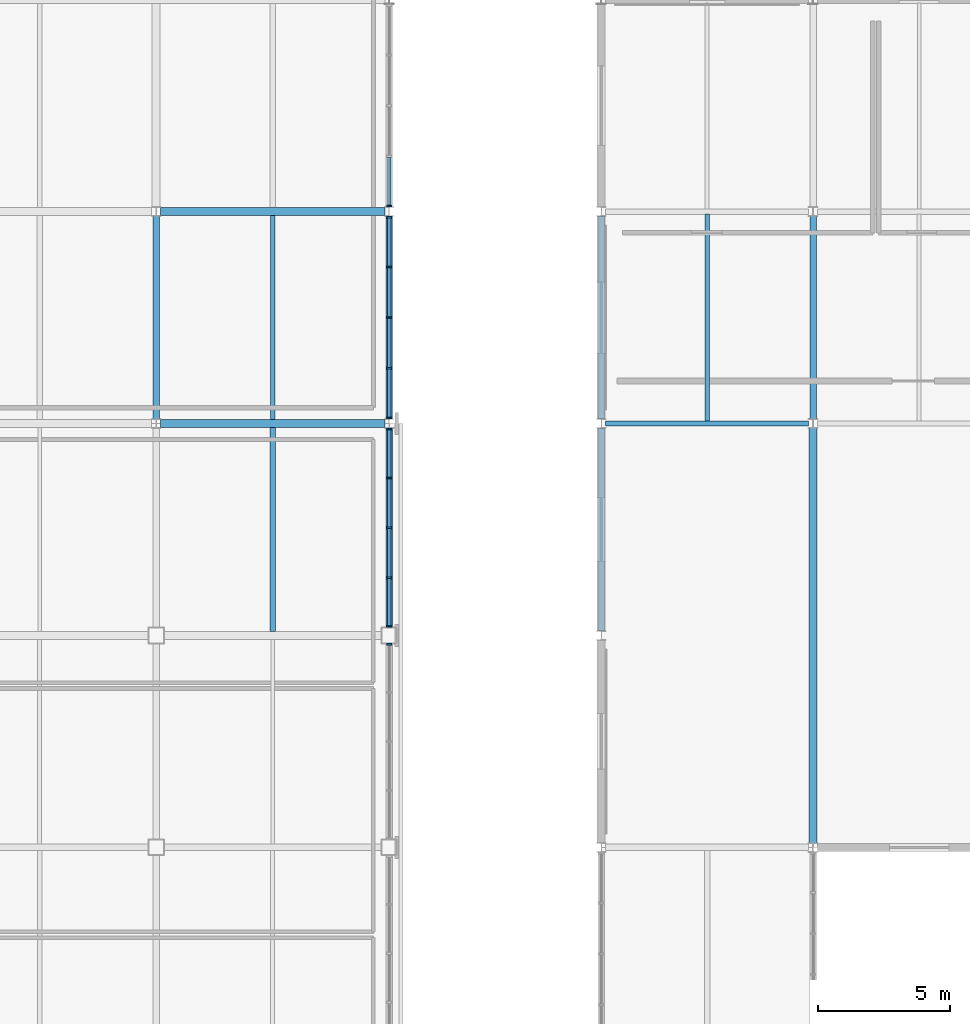
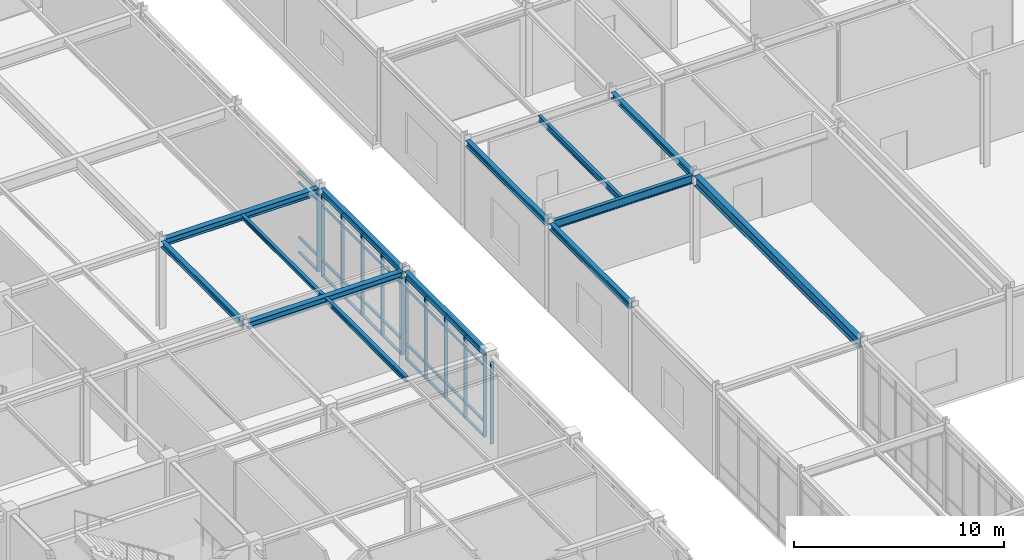
# One storey, part 41 of 108: 48 members, 13 beams, 4 elements without a shape of their own.
"""IFC4 building model written with IfcOpenShell, lengths in metres."""

from ifc_helpers import new_model, si_unit, direction, frame, origin, origin_2d, place, context, subcontext, project, spatial, rectangle, i_section, extrude, material, material_profile, profile_set, type_object, element, aggregate, save


model = new_model("IFC4")

# Units and contexts
model_context = context("Model", 3, precision=1e-05, world=origin(), true_north=direction((0.0, 1.0)))
body_context = subcontext(model_context, "Body", "Model", "MODEL_VIEW")
ifc_project = project(units=[si_unit("LENGTHUNIT", "METRE"), si_unit("AREAUNIT", "SQUARE_METRE"), si_unit("VOLUMEUNIT", "CUBIC_METRE"), si_unit("PLANEANGLEUNIT", "RADIAN"), si_unit("MASSUNIT", "GRAM", prefix="KILO")], contexts=[model_context])

# Site, building, storey
site_placement = place(None, origin())
site = spatial("IfcSite", under=ifc_project, at=site_placement, CompositionType="ELEMENT")
building_placement = place(site_placement, origin())
building = spatial("IfcBuilding", under=site, at=building_placement, Name="Zhaolan Boulevard Law Courts", CompositionType="ELEMENT")
storey_placement = place(building_placement, frame((0.0, 0.0, 10.800048828125)))
storey = spatial("IfcBuildingStorey", under=building, at=storey_placement, Name="L02", CompositionType="ELEMENT", Elevation=10.800048828125)

# Curtain wall, members
ifc_material_1 = material(Name="Thermally broken aluminium and low-E glazing", Category="aluminium")
curtain_wall_type_1 = type_object("IfcCurtainWallType", Name="CURTAIN WALL M23", PredefinedType="USERDEFINED", material=ifc_material_1)
curtain_wall_1_placement = place(storey_placement, origin())
curtain_wall_1 = element("IfcCurtainWall", 1, at=curtain_wall_1_placement, inside=storey, type_object=curtain_wall_type_1, Name="Curtain Wall CW-L02-119", ObjectType="CURTAIN WALL", PredefinedType="USERDEFINED")
ifc_material_2 = material(Name="Fluorocarbon-coated aluminium 6063-T6", Category="aluminium")
ifc_material_profile_1 = material_profile(ifc_material_2, rectangle(XDim=0.179931640625, YDim=0.06494140625, at=origin_2d()), Name="AL65x180")
ifc_profile_set_1 = profile_set([ifc_material_profile_1], Name="Fluorocarbon-coated aluminium 6063-T6")
member_type_1 = type_object("IfcMemberType", Name="CWMULLION 65X180", PredefinedType="MULLION", material=ifc_profile_set_1)
member_1_placement = place(storey_placement, frame((44.0, 78.20947265625, 0.0), z_axis=(0.0, 0.0, 1.0), x_axis=(-1.0, 0.0, 0.0)))
member_1 = element("IfcMember", 2, at=member_1_placement, type_object=member_type_1, Name="CW-L02-119 mullion 1", PredefinedType="MULLION", context=body_context, shape_type="SweptSolid", body=[
    extrude(rectangle(XDim=0.179931640625, YDim=0.06494140625, at=origin_2d()), origin(), (0.0, 0.0, 1.0), 4.762939453125),
])
member_2_placement = place(storey_placement, frame((44.0, 80.08837890625, 0.0), z_axis=(0.0, 0.0, 1.0), x_axis=(-1.0, 0.0, 0.0)))
member_2 = element("IfcMember", 3, at=member_2_placement, type_object=member_type_1, Name="CW-L02-119 mullion 2", PredefinedType="MULLION", context=body_context, shape_type="SweptSolid", body=[
    extrude(rectangle(XDim=0.179931640625, YDim=0.06494140625, at=origin_2d()), origin(), (0.0, 0.0, 1.0), 4.762939453125),
])
member_3_placement = place(storey_placement, frame((44.0, 82.0, 0.0), z_axis=(0.0, 0.0, 1.0), x_axis=(-1.0, 0.0, 0.0)))
member_3 = element("IfcMember", 4, at=member_3_placement, type_object=member_type_1, Name="CW-L02-119 mullion 3", PredefinedType="MULLION", context=body_context, shape_type="SweptSolid", body=[
    extrude(rectangle(XDim=0.179931640625, YDim=0.06494140625, at=origin_2d()), origin(), (0.0, 0.0, 1.0), 4.762939453125),
])
member_4_placement = place(storey_placement, frame((44.0, 83.91162109375, 0.0), z_axis=(0.0, 0.0, 1.0), x_axis=(-1.0, 0.0, 0.0)))
member_4 = element("IfcMember", 5, at=member_4_placement, type_object=member_type_1, Name="CW-L02-119 mullion 4", PredefinedType="MULLION", context=body_context, shape_type="SweptSolid", body=[
    extrude(rectangle(XDim=0.179931640625, YDim=0.06494140625, at=origin_2d()), origin(), (0.0, 0.0, 1.0), 4.762939453125),
])
member_5_placement = place(storey_placement, frame((44.0, 85.79052734375, 0.0), z_axis=(0.0, 0.0, 1.0), x_axis=(-1.0, 0.0, 0.0)))
member_5 = element("IfcMember", 6, at=member_5_placement, type_object=member_type_1, Name="CW-L02-119 mullion 5", PredefinedType="MULLION", context=body_context, shape_type="SweptSolid", body=[
    extrude(rectangle(XDim=0.179931640625, YDim=0.06494140625, at=origin_2d()), origin(), (0.0, 0.0, 1.0), 4.762939453125),
])

# Curtain wall, member
ifc_material_3 = material(Name="Thermally broken aluminium and low-E glazing", Category="aluminium")
curtain_wall_type_2 = type_object("IfcCurtainWallType", Name="CURTAIN WALL M24", PredefinedType="USERDEFINED", material=ifc_material_3)
curtain_wall_2_placement = place(storey_placement, origin())
curtain_wall_2 = element("IfcCurtainWall", 7, at=curtain_wall_2_placement, inside=storey, type_object=curtain_wall_type_2, Name="Curtain Wall CW-L02-120", ObjectType="CURTAIN WALL", PredefinedType="USERDEFINED")
member_6_placement = place(storey_placement, frame((44.0, 86.20947265625, 0.0), z_axis=(0.0, 0.0, 1.0), x_axis=(-1.0, 0.0, 0.0)))
member_6 = element("IfcMember", 8, at=member_6_placement, type_object=member_type_1, Name="CW-L02-120 mullion 1", PredefinedType="MULLION", context=body_context, shape_type="SweptSolid", body=[
    extrude(rectangle(XDim=0.179931640625, YDim=0.06494140625, at=origin_2d()), origin(), (0.0, 0.0, 1.0), 4.762939453125),
])

ifc_material_4 = material(Name="Thermally broken aluminium and low-E glazing", Category="aluminium")
curtain_wall_type_3 = type_object("IfcCurtainWallType", Name="CURTAIN WALL M22", PredefinedType="USERDEFINED", material=ifc_material_4)
curtain_wall_3_placement = place(storey_placement, origin())
curtain_wall_3 = element("IfcCurtainWall", 9, at=curtain_wall_3_placement, inside=storey, type_object=curtain_wall_type_3, Name="Curtain Wall CW-L02-166", ObjectType="CURTAIN WALL", PredefinedType="USERDEFINED")
member_7_placement = place(storey_placement, frame((44.0, 69.66552734375, 0.0), z_axis=(0.0, 0.0, 1.0), x_axis=(-1.0, 0.0, 0.0)))
member_7 = element("IfcMember", 10, at=member_7_placement, type_object=member_type_1, Name="CW-L02-166 mullion 5", PredefinedType="MULLION", context=body_context, shape_type="SweptSolid", body=[
    extrude(rectangle(XDim=0.179931640625, YDim=0.06494140625, at=origin_2d()), origin(), (0.0, 0.0, 1.0), 4.782958984375),
])
aggregate(curtain_wall_3, [member_7])

# Curtain wall, members
curtain_wall_4_placement = place(storey_placement, origin())
curtain_wall_4 = element("IfcCurtainWall", 11, at=curtain_wall_4_placement, inside=storey, type_object=curtain_wall_type_1, Name="Curtain Wall CW-L02-167", ObjectType="CURTAIN WALL", PredefinedType="USERDEFINED")
member_8_placement = place(storey_placement, frame((44.0, 70.33447265625, 0.0), z_axis=(0.0, 0.0, 1.0), x_axis=(-1.0, 0.0, 0.0)))
member_8 = element("IfcMember", 12, at=member_8_placement, type_object=member_type_1, Name="CW-L02-167 mullion 1", PredefinedType="MULLION", context=body_context, shape_type="SweptSolid", body=[
    extrude(rectangle(XDim=0.179931640625, YDim=0.06494140625, at=origin_2d()), origin(), (0.0, 0.0, 1.0), 4.782958984375),
])
member_9_placement = place(storey_placement, frame((44.0, 72.18212890625, 0.0), z_axis=(0.0, 0.0, 1.0), x_axis=(-1.0, 0.0, 0.0)))
member_9 = element("IfcMember", 13, at=member_9_placement, type_object=member_type_1, Name="CW-L02-167 mullion 2", PredefinedType="MULLION", context=body_context, shape_type="SweptSolid", body=[
    extrude(rectangle(XDim=0.179931640625, YDim=0.06494140625, at=origin_2d()), origin(), (0.0, 0.0, 1.0), 4.782958984375),
])
member_10_placement = place(storey_placement, frame((44.0, 74.0625, 0.0), z_axis=(0.0, 0.0, 1.0), x_axis=(-1.0, 0.0, 0.0)))
member_10 = element("IfcMember", 14, at=member_10_placement, type_object=member_type_1, Name="CW-L02-167 mullion 3", PredefinedType="MULLION", context=body_context, shape_type="SweptSolid", body=[
    extrude(rectangle(XDim=0.179931640625, YDim=0.06494140625, at=origin_2d()), origin(), (0.0, 0.0, 1.0), 4.782958984375),
])
member_11_placement = place(storey_placement, frame((44.0, 75.94287109375, 0.0), z_axis=(0.0, 0.0, 1.0), x_axis=(-1.0, 0.0, 0.0)))
member_11 = element("IfcMember", 15, at=member_11_placement, type_object=member_type_1, Name="CW-L02-167 mullion 4", PredefinedType="MULLION", context=body_context, shape_type="SweptSolid", body=[
    extrude(rectangle(XDim=0.179931640625, YDim=0.06494140625, at=origin_2d()), origin(), (0.0, 0.0, 1.0), 4.782958984375),
])
member_12_placement = place(storey_placement, frame((44.0, 77.79052734375, 0.0), z_axis=(0.0, 0.0, 1.0), x_axis=(-1.0, 0.0, 0.0)))
member_12 = element("IfcMember", 16, at=member_12_placement, type_object=member_type_1, Name="CW-L02-167 mullion 5", PredefinedType="MULLION", context=body_context, shape_type="SweptSolid", body=[
    extrude(rectangle(XDim=0.179931640625, YDim=0.06494140625, at=origin_2d()), origin(), (0.0, 0.0, 1.0), 4.782958984375),
])

# Member
ifc_material_5 = material(Name="Fluorocarbon-coated aluminium 6063-T6", Category="aluminium")
ifc_material_profile_2 = material_profile(ifc_material_5, rectangle(XDim=0.139892578125, YDim=0.06494140625, at=origin_2d()), Name="AL65x140")
ifc_profile_set_2 = profile_set([ifc_material_profile_2], Name="Fluorocarbon-coated aluminium 6063-T6")
member_type_2 = type_object("IfcMemberType", Name="CWTRANSOM 65X140", PredefinedType="USERDEFINED", material=ifc_profile_set_2)
member_13_placement = place(storey_placement, frame((44.0, 78.241943359375, 0.032470703125), z_axis=(0.0, 1.0, 0.0), x_axis=(-1.0, 0.0, 0.0)))
member_13 = element("IfcMember", 17, at=member_13_placement, type_object=member_type_2, Name="CW-L02-119 transom 1.1", ObjectType="TRANSOM", PredefinedType="USERDEFINED", context=body_context, shape_type="SweptSolid", body=[
    extrude(rectangle(XDim=0.139892578125, YDim=0.06494140625, at=origin_2d()), origin(), (0.0, 0.0, 1.0), 1.81396484375),
])

member_14_placement = place(storey_placement, frame((44.0, 78.241943359375, 0.89990234375), z_axis=(0.0, 1.0, 0.0), x_axis=(-1.0, 0.0, 0.0)))
member_14 = element("IfcMember", 18, at=member_14_placement, type_object=member_type_2, Name="CW-L02-119 transom 1.2", ObjectType="TRANSOM", PredefinedType="USERDEFINED", context=body_context, shape_type="SweptSolid", body=[
    extrude(rectangle(XDim=0.139892578125, YDim=0.06494140625, at=origin_2d()), origin(), (0.0, 0.0, 1.0), 1.81396484375),
])

member_15_placement = place(storey_placement, frame((44.0, 78.241943359375, 4.113037109375), z_axis=(0.0, 1.0, 0.0), x_axis=(-1.0, 0.0, 0.0)))
member_15 = element("IfcMember", 19, at=member_15_placement, type_object=member_type_2, Name="CW-L02-119 transom 1.3", ObjectType="TRANSOM", PredefinedType="USERDEFINED", context=body_context, shape_type="SweptSolid", body=[
    extrude(rectangle(XDim=0.139892578125, YDim=0.06494140625, at=origin_2d()), origin(), (0.0, 0.0, 1.0), 1.81396484375),
])

member_16_placement = place(storey_placement, frame((44.0, 78.241943359375, 4.73046875), z_axis=(0.0, 1.0, 0.0), x_axis=(-1.0, 0.0, 0.0)))
member_16 = element("IfcMember", 20, at=member_16_placement, type_object=member_type_2, Name="CW-L02-119 transom 1.4", ObjectType="TRANSOM", PredefinedType="USERDEFINED", context=body_context, shape_type="SweptSolid", body=[
    extrude(rectangle(XDim=0.139892578125, YDim=0.06494140625, at=origin_2d()), origin(), (0.0, 0.0, 1.0), 1.81396484375),
])

member_17_placement = place(storey_placement, frame((44.0, 80.12109375, 0.032470703125), z_axis=(0.0, 1.0, 0.0), x_axis=(-1.0, 0.0, 0.0)))
member_17 = element("IfcMember", 21, at=member_17_placement, type_object=member_type_2, Name="CW-L02-119 transom 2.1", ObjectType="TRANSOM", PredefinedType="USERDEFINED", context=body_context, shape_type="SweptSolid", body=[
    extrude(rectangle(XDim=0.139892578125, YDim=0.06494140625, at=origin_2d()), origin(), (0.0, 0.0, 1.0), 1.846435546875),
])

member_18_placement = place(storey_placement, frame((44.0, 80.12109375, 0.89990234375), z_axis=(0.0, 1.0, 0.0), x_axis=(-1.0, 0.0, 0.0)))
member_18 = element("IfcMember", 22, at=member_18_placement, type_object=member_type_2, Name="CW-L02-119 transom 2.2", ObjectType="TRANSOM", PredefinedType="USERDEFINED", context=body_context, shape_type="SweptSolid", body=[
    extrude(rectangle(XDim=0.139892578125, YDim=0.06494140625, at=origin_2d()), origin(), (0.0, 0.0, 1.0), 1.846435546875),
])

member_19_placement = place(storey_placement, frame((44.0, 80.12109375, 4.113037109375), z_axis=(0.0, 1.0, 0.0), x_axis=(-1.0, 0.0, 0.0)))
member_19 = element("IfcMember", 23, at=member_19_placement, type_object=member_type_2, Name="CW-L02-119 transom 2.3", ObjectType="TRANSOM", PredefinedType="USERDEFINED", context=body_context, shape_type="SweptSolid", body=[
    extrude(rectangle(XDim=0.139892578125, YDim=0.06494140625, at=origin_2d()), origin(), (0.0, 0.0, 1.0), 1.846435546875),
])

member_20_placement = place(storey_placement, frame((44.0, 80.12109375, 4.73046875), z_axis=(0.0, 1.0, 0.0), x_axis=(-1.0, 0.0, 0.0)))
member_20 = element("IfcMember", 24, at=member_20_placement, type_object=member_type_2, Name="CW-L02-119 transom 2.4", ObjectType="TRANSOM", PredefinedType="USERDEFINED", context=body_context, shape_type="SweptSolid", body=[
    extrude(rectangle(XDim=0.139892578125, YDim=0.06494140625, at=origin_2d()), origin(), (0.0, 0.0, 1.0), 1.846435546875),
])

member_21_placement = place(storey_placement, frame((44.0, 82.032470703125, 0.032470703125), z_axis=(0.0, 1.0, 0.0), x_axis=(-1.0, 0.0, 0.0)))
member_21 = element("IfcMember", 25, at=member_21_placement, type_object=member_type_2, Name="CW-L02-119 transom 3.1", ObjectType="TRANSOM", PredefinedType="USERDEFINED", context=body_context, shape_type="SweptSolid", body=[
    extrude(rectangle(XDim=0.139892578125, YDim=0.06494140625, at=origin_2d()), origin(), (0.0, 0.0, 1.0), 1.846435546875),
])

member_22_placement = place(storey_placement, frame((44.0, 82.032470703125, 0.89990234375), z_axis=(0.0, 1.0, 0.0), x_axis=(-1.0, 0.0, 0.0)))
member_22 = element("IfcMember", 26, at=member_22_placement, type_object=member_type_2, Name="CW-L02-119 transom 3.2", ObjectType="TRANSOM", PredefinedType="USERDEFINED", context=body_context, shape_type="SweptSolid", body=[
    extrude(rectangle(XDim=0.139892578125, YDim=0.06494140625, at=origin_2d()), origin(), (0.0, 0.0, 1.0), 1.846435546875),
])

member_23_placement = place(storey_placement, frame((44.0, 82.032470703125, 4.113037109375), z_axis=(0.0, 1.0, 0.0), x_axis=(-1.0, 0.0, 0.0)))
member_23 = element("IfcMember", 27, at=member_23_placement, type_object=member_type_2, Name="CW-L02-119 transom 3.3", ObjectType="TRANSOM", PredefinedType="USERDEFINED", context=body_context, shape_type="SweptSolid", body=[
    extrude(rectangle(XDim=0.139892578125, YDim=0.06494140625, at=origin_2d()), origin(), (0.0, 0.0, 1.0), 1.846435546875),
])

member_24_placement = place(storey_placement, frame((44.0, 82.032470703125, 4.73046875), z_axis=(0.0, 1.0, 0.0), x_axis=(-1.0, 0.0, 0.0)))
member_24 = element("IfcMember", 28, at=member_24_placement, type_object=member_type_2, Name="CW-L02-119 transom 3.4", ObjectType="TRANSOM", PredefinedType="USERDEFINED", context=body_context, shape_type="SweptSolid", body=[
    extrude(rectangle(XDim=0.139892578125, YDim=0.06494140625, at=origin_2d()), origin(), (0.0, 0.0, 1.0), 1.846435546875),
])

member_25_placement = place(storey_placement, frame((44.0, 83.944091796875, 0.032470703125), z_axis=(0.0, 1.0, 0.0), x_axis=(-1.0, 0.0, 0.0)))
member_25 = element("IfcMember", 29, at=member_25_placement, type_object=member_type_2, Name="CW-L02-119 transom 4.1", ObjectType="TRANSOM", PredefinedType="USERDEFINED", context=body_context, shape_type="SweptSolid", body=[
    extrude(rectangle(XDim=0.139892578125, YDim=0.06494140625, at=origin_2d()), origin(), (0.0, 0.0, 1.0), 1.81396484375),
])

member_26_placement = place(storey_placement, frame((44.0, 83.944091796875, 0.89990234375), z_axis=(0.0, 1.0, 0.0), x_axis=(-1.0, 0.0, 0.0)))
member_26 = element("IfcMember", 30, at=member_26_placement, type_object=member_type_2, Name="CW-L02-119 transom 4.2", ObjectType="TRANSOM", PredefinedType="USERDEFINED", context=body_context, shape_type="SweptSolid", body=[
    extrude(rectangle(XDim=0.139892578125, YDim=0.06494140625, at=origin_2d()), origin(), (0.0, 0.0, 1.0), 1.81396484375),
])

member_27_placement = place(storey_placement, frame((44.0, 83.944091796875, 4.113037109375), z_axis=(0.0, 1.0, 0.0), x_axis=(-1.0, 0.0, 0.0)))
member_27 = element("IfcMember", 31, at=member_27_placement, type_object=member_type_2, Name="CW-L02-119 transom 4.3", ObjectType="TRANSOM", PredefinedType="USERDEFINED", context=body_context, shape_type="SweptSolid", body=[
    extrude(rectangle(XDim=0.139892578125, YDim=0.06494140625, at=origin_2d()), origin(), (0.0, 0.0, 1.0), 1.81396484375),
])

member_28_placement = place(storey_placement, frame((44.0, 83.944091796875, 4.73046875), z_axis=(0.0, 1.0, 0.0), x_axis=(-1.0, 0.0, 0.0)))
member_28 = element("IfcMember", 32, at=member_28_placement, type_object=member_type_2, Name="CW-L02-119 transom 4.4", ObjectType="TRANSOM", PredefinedType="USERDEFINED", context=body_context, shape_type="SweptSolid", body=[
    extrude(rectangle(XDim=0.139892578125, YDim=0.06494140625, at=origin_2d()), origin(), (0.0, 0.0, 1.0), 1.81396484375),
])

aggregate(curtain_wall_1, [member_1, member_2, member_3, member_4, member_5, member_13, member_14, member_15, member_16, member_17, member_18, member_19, member_20, member_21, member_22, member_23, member_24, member_25, member_26, member_27, member_28])

member_29_placement = place(storey_placement, frame((44.0, 86.241943359375, 0.032470703125), z_axis=(0.0, 1.0, 0.0), x_axis=(-1.0, 0.0, 0.0)))
member_29 = element("IfcMember", 33, at=member_29_placement, type_object=member_type_2, Name="CW-L02-120 transom 1.1", ObjectType="TRANSOM", PredefinedType="USERDEFINED", context=body_context, shape_type="SweptSolid", body=[
    extrude(rectangle(XDim=0.139892578125, YDim=0.06494140625, at=origin_2d()), origin(), (0.0, 0.0, 1.0), 1.81396484375),
])

member_30_placement = place(storey_placement, frame((44.0, 86.241943359375, 0.89990234375), z_axis=(0.0, 1.0, 0.0), x_axis=(-1.0, 0.0, 0.0)))
member_30 = element("IfcMember", 34, at=member_30_placement, type_object=member_type_2, Name="CW-L02-120 transom 1.2", ObjectType="TRANSOM", PredefinedType="USERDEFINED", context=body_context, shape_type="SweptSolid", body=[
    extrude(rectangle(XDim=0.139892578125, YDim=0.06494140625, at=origin_2d()), origin(), (0.0, 0.0, 1.0), 1.81396484375),
])

member_31_placement = place(storey_placement, frame((44.0, 86.241943359375, 4.113037109375), z_axis=(0.0, 1.0, 0.0), x_axis=(-1.0, 0.0, 0.0)))
member_31 = element("IfcMember", 35, at=member_31_placement, type_object=member_type_2, Name="CW-L02-120 transom 1.3", ObjectType="TRANSOM", PredefinedType="USERDEFINED", context=body_context, shape_type="SweptSolid", body=[
    extrude(rectangle(XDim=0.139892578125, YDim=0.06494140625, at=origin_2d()), origin(), (0.0, 0.0, 1.0), 1.81396484375),
])

member_32_placement = place(storey_placement, frame((44.0, 86.241943359375, 4.73046875), z_axis=(0.0, 1.0, 0.0), x_axis=(-1.0, 0.0, 0.0)))
member_32 = element("IfcMember", 36, at=member_32_placement, type_object=member_type_2, Name="CW-L02-120 transom 1.4", ObjectType="TRANSOM", PredefinedType="USERDEFINED", context=body_context, shape_type="SweptSolid", body=[
    extrude(rectangle(XDim=0.139892578125, YDim=0.06494140625, at=origin_2d()), origin(), (0.0, 0.0, 1.0), 1.81396484375),
])

aggregate(curtain_wall_2, [member_6, member_29, member_30, member_31, member_32])

member_33_placement = place(storey_placement, frame((44.0, 70.366943359375, 0.032470703125), z_axis=(0.0, 1.0, 0.0), x_axis=(-1.0, 0.0, 0.0)))
member_33 = element("IfcMember", 37, at=member_33_placement, type_object=member_type_2, Name="CW-L02-167 transom 1.1", ObjectType="TRANSOM", PredefinedType="USERDEFINED", context=body_context, shape_type="SweptSolid", body=[
    extrude(rectangle(XDim=0.139892578125, YDim=0.06494140625, at=origin_2d()), origin(), (0.0, 0.0, 1.0), 1.78271484375),
])

member_34_placement = place(storey_placement, frame((44.0, 70.366943359375, 0.89990234375), z_axis=(0.0, 1.0, 0.0), x_axis=(-1.0, 0.0, 0.0)))
member_34 = element("IfcMember", 38, at=member_34_placement, type_object=member_type_2, Name="CW-L02-167 transom 1.2", ObjectType="TRANSOM", PredefinedType="USERDEFINED", context=body_context, shape_type="SweptSolid", body=[
    extrude(rectangle(XDim=0.139892578125, YDim=0.06494140625, at=origin_2d()), origin(), (0.0, 0.0, 1.0), 1.78271484375),
])

member_35_placement = place(storey_placement, frame((44.0, 70.366943359375, 4.133056640625), z_axis=(0.0, 1.0, 0.0), x_axis=(-1.0, 0.0, 0.0)))
member_35 = element("IfcMember", 39, at=member_35_placement, type_object=member_type_2, Name="CW-L02-167 transom 1.3", ObjectType="TRANSOM", PredefinedType="USERDEFINED", context=body_context, shape_type="SweptSolid", body=[
    extrude(rectangle(XDim=0.139892578125, YDim=0.06494140625, at=origin_2d()), origin(), (0.0, 0.0, 1.0), 1.78271484375),
])

member_36_placement = place(storey_placement, frame((44.0, 70.366943359375, 4.75048828125), z_axis=(0.0, 1.0, 0.0), x_axis=(-1.0, 0.0, 0.0)))
member_36 = element("IfcMember", 40, at=member_36_placement, type_object=member_type_2, Name="CW-L02-167 transom 1.4", ObjectType="TRANSOM", PredefinedType="USERDEFINED", context=body_context, shape_type="SweptSolid", body=[
    extrude(rectangle(XDim=0.139892578125, YDim=0.06494140625, at=origin_2d()), origin(), (0.0, 0.0, 1.0), 1.78271484375),
])

member_37_placement = place(storey_placement, frame((44.0, 72.21484375, 0.032470703125), z_axis=(0.0, 1.0, 0.0), x_axis=(-1.0, 0.0, 0.0)))
member_37 = element("IfcMember", 41, at=member_37_placement, type_object=member_type_2, Name="CW-L02-167 transom 2.1", ObjectType="TRANSOM", PredefinedType="USERDEFINED", context=body_context, shape_type="SweptSolid", body=[
    extrude(rectangle(XDim=0.139892578125, YDim=0.06494140625, at=origin_2d()), origin(), (0.0, 0.0, 1.0), 1.815185546875),
])

member_38_placement = place(storey_placement, frame((44.0, 72.21484375, 0.89990234375), z_axis=(0.0, 1.0, 0.0), x_axis=(-1.0, 0.0, 0.0)))
member_38 = element("IfcMember", 42, at=member_38_placement, type_object=member_type_2, Name="CW-L02-167 transom 2.2", ObjectType="TRANSOM", PredefinedType="USERDEFINED", context=body_context, shape_type="SweptSolid", body=[
    extrude(rectangle(XDim=0.139892578125, YDim=0.06494140625, at=origin_2d()), origin(), (0.0, 0.0, 1.0), 1.815185546875),
])

member_39_placement = place(storey_placement, frame((44.0, 72.21484375, 4.133056640625), z_axis=(0.0, 1.0, 0.0), x_axis=(-1.0, 0.0, 0.0)))
member_39 = element("IfcMember", 43, at=member_39_placement, type_object=member_type_2, Name="CW-L02-167 transom 2.3", ObjectType="TRANSOM", PredefinedType="USERDEFINED", context=body_context, shape_type="SweptSolid", body=[
    extrude(rectangle(XDim=0.139892578125, YDim=0.06494140625, at=origin_2d()), origin(), (0.0, 0.0, 1.0), 1.815185546875),
])

member_40_placement = place(storey_placement, frame((44.0, 72.21484375, 4.75048828125), z_axis=(0.0, 1.0, 0.0), x_axis=(-1.0, 0.0, 0.0)))
member_40 = element("IfcMember", 44, at=member_40_placement, type_object=member_type_2, Name="CW-L02-167 transom 2.4", ObjectType="TRANSOM", PredefinedType="USERDEFINED", context=body_context, shape_type="SweptSolid", body=[
    extrude(rectangle(XDim=0.139892578125, YDim=0.06494140625, at=origin_2d()), origin(), (0.0, 0.0, 1.0), 1.815185546875),
])

member_41_placement = place(storey_placement, frame((44.0, 74.094970703125, 0.032470703125), z_axis=(0.0, 1.0, 0.0), x_axis=(-1.0, 0.0, 0.0)))
member_41 = element("IfcMember", 45, at=member_41_placement, type_object=member_type_2, Name="CW-L02-167 transom 3.1", ObjectType="TRANSOM", PredefinedType="USERDEFINED", context=body_context, shape_type="SweptSolid", body=[
    extrude(rectangle(XDim=0.139892578125, YDim=0.06494140625, at=origin_2d()), origin(), (0.0, 0.0, 1.0), 1.815185546875),
])

member_42_placement = place(storey_placement, frame((44.0, 74.094970703125, 0.89990234375), z_axis=(0.0, 1.0, 0.0), x_axis=(-1.0, 0.0, 0.0)))
member_42 = element("IfcMember", 46, at=member_42_placement, type_object=member_type_2, Name="CW-L02-167 transom 3.2", ObjectType="TRANSOM", PredefinedType="USERDEFINED", context=body_context, shape_type="SweptSolid", body=[
    extrude(rectangle(XDim=0.139892578125, YDim=0.06494140625, at=origin_2d()), origin(), (0.0, 0.0, 1.0), 1.815185546875),
])

member_43_placement = place(storey_placement, frame((44.0, 74.094970703125, 4.133056640625), z_axis=(0.0, 1.0, 0.0), x_axis=(-1.0, 0.0, 0.0)))
member_43 = element("IfcMember", 47, at=member_43_placement, type_object=member_type_2, Name="CW-L02-167 transom 3.3", ObjectType="TRANSOM", PredefinedType="USERDEFINED", context=body_context, shape_type="SweptSolid", body=[
    extrude(rectangle(XDim=0.139892578125, YDim=0.06494140625, at=origin_2d()), origin(), (0.0, 0.0, 1.0), 1.815185546875),
])

member_44_placement = place(storey_placement, frame((44.0, 74.094970703125, 4.75048828125), z_axis=(0.0, 1.0, 0.0), x_axis=(-1.0, 0.0, 0.0)))
member_44 = element("IfcMember", 48, at=member_44_placement, type_object=member_type_2, Name="CW-L02-167 transom 3.4", ObjectType="TRANSOM", PredefinedType="USERDEFINED", context=body_context, shape_type="SweptSolid", body=[
    extrude(rectangle(XDim=0.139892578125, YDim=0.06494140625, at=origin_2d()), origin(), (0.0, 0.0, 1.0), 1.815185546875),
])

member_45_placement = place(storey_placement, frame((44.0, 75.975341796875, 0.032470703125), z_axis=(0.0, 1.0, 0.0), x_axis=(-1.0, 0.0, 0.0)))
member_45 = element("IfcMember", 49, at=member_45_placement, type_object=member_type_2, Name="CW-L02-167 transom 4.1", ObjectType="TRANSOM", PredefinedType="USERDEFINED", context=body_context, shape_type="SweptSolid", body=[
    extrude(rectangle(XDim=0.139892578125, YDim=0.06494140625, at=origin_2d()), origin(), (0.0, 0.0, 1.0), 1.78271484375),
])

member_46_placement = place(storey_placement, frame((44.0, 75.975341796875, 0.89990234375), z_axis=(0.0, 1.0, 0.0), x_axis=(-1.0, 0.0, 0.0)))
member_46 = element("IfcMember", 50, at=member_46_placement, type_object=member_type_2, Name="CW-L02-167 transom 4.2", ObjectType="TRANSOM", PredefinedType="USERDEFINED", context=body_context, shape_type="SweptSolid", body=[
    extrude(rectangle(XDim=0.139892578125, YDim=0.06494140625, at=origin_2d()), origin(), (0.0, 0.0, 1.0), 1.78271484375),
])

member_47_placement = place(storey_placement, frame((44.0, 75.975341796875, 4.133056640625), z_axis=(0.0, 1.0, 0.0), x_axis=(-1.0, 0.0, 0.0)))
member_47 = element("IfcMember", 51, at=member_47_placement, type_object=member_type_2, Name="CW-L02-167 transom 4.3", ObjectType="TRANSOM", PredefinedType="USERDEFINED", context=body_context, shape_type="SweptSolid", body=[
    extrude(rectangle(XDim=0.139892578125, YDim=0.06494140625, at=origin_2d()), origin(), (0.0, 0.0, 1.0), 1.78271484375),
])

member_48_placement = place(storey_placement, frame((44.0, 75.975341796875, 4.75048828125), z_axis=(0.0, 1.0, 0.0), x_axis=(-1.0, 0.0, 0.0)))
member_48 = element("IfcMember", 52, at=member_48_placement, type_object=member_type_2, Name="CW-L02-167 transom 4.4", ObjectType="TRANSOM", PredefinedType="USERDEFINED", context=body_context, shape_type="SweptSolid", body=[
    extrude(rectangle(XDim=0.139892578125, YDim=0.06494140625, at=origin_2d()), origin(), (0.0, 0.0, 1.0), 1.78271484375),
])

aggregate(curtain_wall_4, [member_8, member_9, member_10, member_11, member_12, member_33, member_34, member_35, member_36, member_37, member_38, member_39, member_40, member_41, member_42, member_43, member_44, member_45, member_46, member_47, member_48])

# Beams
ifc_material_6 = material(Name="Structural steel Q355B", Category="steel")
ifc_material_profile_3 = material_profile(ifc_material_6, i_section(OverallWidth=0.25, OverallDepth=0.340087890625, WebThickness=0.009033203125, FlangeThickness=0.013916015625, FilletRadius=0.01611328125, at=origin_2d()), Name="HM340x250")
ifc_profile_set_3 = profile_set([ifc_material_profile_3], Name="Structural steel Q355B")
beam_type_1 = type_object("IfcBeamType", Name="GIRDER HM340", PredefinedType="BEAM", material=ifc_profile_set_3)
beam_1_placement = place(storey_placement, frame((35.199951171875, 78.1708984375, 4.947998046875), z_axis=(0.0, 1.0, 0.0), x_axis=(-1.0, 0.0, 0.0)))
element("IfcBeam", 53, at=beam_1_placement, inside=storey, type_object=beam_type_1, Name="Beam BY-L03-5-L-M", PredefinedType="BEAM", context=body_context, shape_type="SweptSolid", body=[
    extrude(i_section(OverallWidth=0.25, OverallDepth=0.340087890625, WebThickness=0.009033203125, FlangeThickness=0.013916015625, FilletRadius=0.01611328125, at=origin_2d()), origin(), (0.0, 0.0, 1.0), 7.658203125),
])
beam_2_placement = place(storey_placement, frame((44.0, 70.2958984375, 4.968017578125), z_axis=(0.0, 1.0, 0.0), x_axis=(-1.0, 0.0, 0.0)))
element("IfcBeam", 54, at=beam_2_placement, inside=storey, type_object=beam_type_1, Name="Beam BY-L03-6-K-L", PredefinedType="BEAM", context=body_context, shape_type="SweptSolid", body=[
    extrude(i_section(OverallWidth=0.25, OverallDepth=0.340087890625, WebThickness=0.009033203125, FlangeThickness=0.013916015625, FilletRadius=0.01611328125, at=origin_2d()), origin(), (0.0, 0.0, 1.0), 7.533203125),
])
for number, where, z_axis, x_axis, name in (
    (55, (44.0, 78.1708984375, 4.947998046875), (0.0, 1.0, 0.0), (-1.0, 0.0, 0.0), "Beam BY-L03-6-L-M"),
    (56, (52.0, 70.1708984375, 4.947998046875), (0.0, 1.0, 0.0), (-1.0, 0.0, 0.0), "Beam BY-L03-7-K-L"),
    (57, (52.0, 78.1708984375, 4.947998046875), (0.0, 1.0, 0.0), (-1.0, 0.0, 0.0), "Beam BY-L03-7-L-M"),
    (58, (60.0, 78.1708984375, 4.947998046875), (0.0, 1.0, 0.0), (-1.0, 0.0, 0.0), "Beam BY-L03-8-L-M"),
):
    element("IfcBeam", number, at=place(storey_placement, frame(where, z_axis=z_axis, x_axis=x_axis)), inside=storey, type_object=beam_type_1, Name=name, PredefinedType="BEAM", context=body_context, shape_type="SweptSolid", body=[
        extrude(i_section(OverallWidth=0.25, OverallDepth=0.340087890625, WebThickness=0.009033203125, FlangeThickness=0.013916015625, FilletRadius=0.01611328125, at=origin_2d()), origin(), (0.0, 0.0, 1.0), 7.658203125),
    ])
ifc_material_7 = material(Name="Structural steel Q355B", Category="steel")
ifc_material_profile_4 = material_profile(ifc_material_7, i_section(OverallWidth=0.300048828125, OverallDepth=0.389892578125, WebThickness=0.010009765625, FlangeThickness=0.01611328125, FilletRadius=0.01806640625, at=origin_2d()), Name="HM390x300")
ifc_profile_set_4 = profile_set([ifc_material_profile_4], Name="Structural steel Q355B")
beam_type_2 = type_object("IfcBeamType", Name="GIRDER HM390", PredefinedType="BEAM", material=ifc_profile_set_4)
for number, where, z_axis, x_axis, name in (
    (59, (35.37109375, 78.0, 4.9228515625), (1.0, 0.0, 0.0), (0.0, 1.0, 0.0), "Beam BX-L03-5-6-L"),
    (60, (35.37109375, 86.0, 4.9228515625), (1.0, 0.0, 0.0), (0.0, 1.0, 0.0), "Beam BX-L03-5-6-M"),
):
    element("IfcBeam", number, at=place(storey_placement, frame(where, z_axis=z_axis, x_axis=x_axis)), inside=storey, type_object=beam_type_2, Name=name, PredefinedType="BEAM", context=body_context, shape_type="SweptSolid", body=[
        extrude(i_section(OverallWidth=0.300048828125, OverallDepth=0.389892578125, WebThickness=0.010009765625, FlangeThickness=0.01611328125, FilletRadius=0.01806640625, at=origin_2d()), origin(), (0.0, 0.0, 1.0), 8.4580078125),
    ])
ifc_material_8 = material(Name="Structural steel Q390B", Category="steel")
ifc_material_profile_5 = material_profile(ifc_material_8, i_section(OverallWidth=0.300048828125, OverallDepth=0.587890625, WebThickness=0.011962890625, FlangeThickness=0.02001953125, FilletRadius=0.02392578125, at=origin_2d()), Name="HM588x300")
ifc_profile_set_5 = profile_set([ifc_material_profile_5], Name="Structural steel Q390B")
beam_type_3 = type_object("IfcBeamType", Name="GIRDER HM588", PredefinedType="BEAM", material=ifc_profile_set_5)
beam_3_placement = place(storey_placement, frame((60.0, 62.1708984375, 4.823974609375), z_axis=(0.0, 1.0, 0.0), x_axis=(-1.0, 0.0, 0.0)))
element("IfcBeam", 61, at=beam_3_placement, inside=storey, type_object=beam_type_3, Name="Beam BY-L03-8-J-L", PredefinedType="BEAM", context=body_context, shape_type="SweptSolid", body=[
    extrude(i_section(OverallWidth=0.300048828125, OverallDepth=0.587890625, WebThickness=0.011962890625, FlangeThickness=0.02001953125, FilletRadius=0.02392578125, at=origin_2d()), origin(), (0.0, 0.0, 1.0), 15.658203125),
])
ifc_material_9 = material(Name="Structural steel Q355B", Category="steel")
ifc_material_profile_6 = material_profile(ifc_material_9, i_section(OverallWidth=0.199951171875, OverallDepth=0.5, WebThickness=0.010009765625, FlangeThickness=0.01611328125, FilletRadius=0.01806640625, at=origin_2d()), Name="HN500x200")
ifc_profile_set_6 = profile_set([ifc_material_profile_6], Name="Structural steel Q355B")
beam_type_4 = type_object("IfcBeamType", Name="GIRDER HN500", PredefinedType="BEAM", material=ifc_profile_set_6)
beam_4_placement = place(storey_placement, frame((52.1708984375, 78.0, 4.867919921875), z_axis=(1.0, 0.0, 0.0), x_axis=(0.0, 1.0, 0.0)))
element("IfcBeam", 62, at=beam_4_placement, inside=storey, type_object=beam_type_4, Name="Beam BX-L03-7-8-L", PredefinedType="BEAM", context=body_context, shape_type="SweptSolid", body=[
    extrude(i_section(OverallWidth=0.199951171875, OverallDepth=0.5, WebThickness=0.010009765625, FlangeThickness=0.01611328125, FilletRadius=0.01806640625, at=origin_2d()), origin(), (0.0, 0.0, 1.0), 7.658203125),
])
ifc_material_10 = material(Name="Structural steel Q355B", Category="steel")
ifc_material_profile_7 = material_profile(ifc_material_10, i_section(OverallWidth=0.175048828125, OverallDepth=0.243896484375, WebThickness=0.007080078125, FlangeThickness=0.010986328125, FilletRadius=0.012939453125, at=origin_2d()), Name="HM244x175")
ifc_profile_set_7 = profile_set([ifc_material_profile_7], Name="Structural steel Q355B")
beam_type_5 = type_object("IfcBeamType", Name="JOIST HM244", PredefinedType="JOIST", material=ifc_profile_set_7)
beam_5_placement = place(storey_placement, frame((39.60009765625, 78.14599609375, 4.995849609375), z_axis=(0.0, 1.0, 0.0), x_axis=(-1.0, 0.0, 0.0)))
element("IfcBeam", 63, at=beam_5_placement, inside=storey, type_object=beam_type_5, Name="Composite Joist J-L03-5L", PredefinedType="JOIST", context=body_context, shape_type="SweptSolid", body=[
    extrude(i_section(OverallWidth=0.175048828125, OverallDepth=0.243896484375, WebThickness=0.007080078125, FlangeThickness=0.010986328125, FilletRadius=0.012939453125, at=origin_2d()), origin(), (0.0, 0.0, 1.0), 7.7080078125),
])
ifc_material_11 = material(Name="Structural steel Q355B", Category="steel")
ifc_material_profile_8 = material_profile(ifc_material_11, i_section(OverallWidth=0.199951171875, OverallDepth=0.2939453125, WebThickness=0.008056640625, FlangeThickness=0.011962890625, FilletRadius=0.01611328125, at=origin_2d()), Name="HM294x200")
ifc_profile_set_8 = profile_set([ifc_material_profile_8], Name="Structural steel Q355B")
beam_type_6 = type_object("IfcBeamType", Name="JOIST HM294", PredefinedType="JOIST", material=ifc_profile_set_8)
beam_6_placement = place(storey_placement, frame((39.60009765625, 70.14599609375, 4.990966796875), z_axis=(0.0, 1.0, 0.0), x_axis=(-1.0, 0.0, 0.0)))
element("IfcBeam", 64, at=beam_6_placement, inside=storey, type_object=beam_type_6, Name="Composite Joist J-L03-5K", PredefinedType="JOIST", context=body_context, shape_type="SweptSolid", body=[
    extrude(i_section(OverallWidth=0.199951171875, OverallDepth=0.2939453125, WebThickness=0.008056640625, FlangeThickness=0.011962890625, FilletRadius=0.01611328125, at=origin_2d()), origin(), (0.0, 0.0, 1.0), 7.7080078125),
])
ifc_material_12 = material(Name="Structural steel Q355B", Category="steel")
ifc_material_profile_9 = material_profile(ifc_material_12, i_section(OverallWidth=0.175048828125, OverallDepth=0.35009765625, WebThickness=0.007080078125, FlangeThickness=0.010986328125, FilletRadius=0.012939453125, at=origin_2d()), Name="HN350x175")
ifc_profile_set_9 = profile_set([ifc_material_profile_9], Name="Structural steel Q355B")
beam_type_7 = type_object("IfcBeamType", Name="JOIST HN350", PredefinedType="JOIST", material=ifc_profile_set_9)
beam_7_placement = place(storey_placement, frame((56.0, 78.095947265625, 4.94287109375), z_axis=(0.0, 1.0, 0.0), x_axis=(-1.0, 0.0, 0.0)))
element("IfcBeam", 65, at=beam_7_placement, inside=storey, type_object=beam_type_7, Name="Composite Joist J-L03-7L", PredefinedType="JOIST", context=body_context, shape_type="SweptSolid", body=[
    extrude(i_section(OverallWidth=0.175048828125, OverallDepth=0.35009765625, WebThickness=0.007080078125, FlangeThickness=0.010986328125, FilletRadius=0.012939453125, at=origin_2d()), origin(), (0.0, 0.0, 1.0), 7.80810546875),
])

save(model, "model.ifc")
